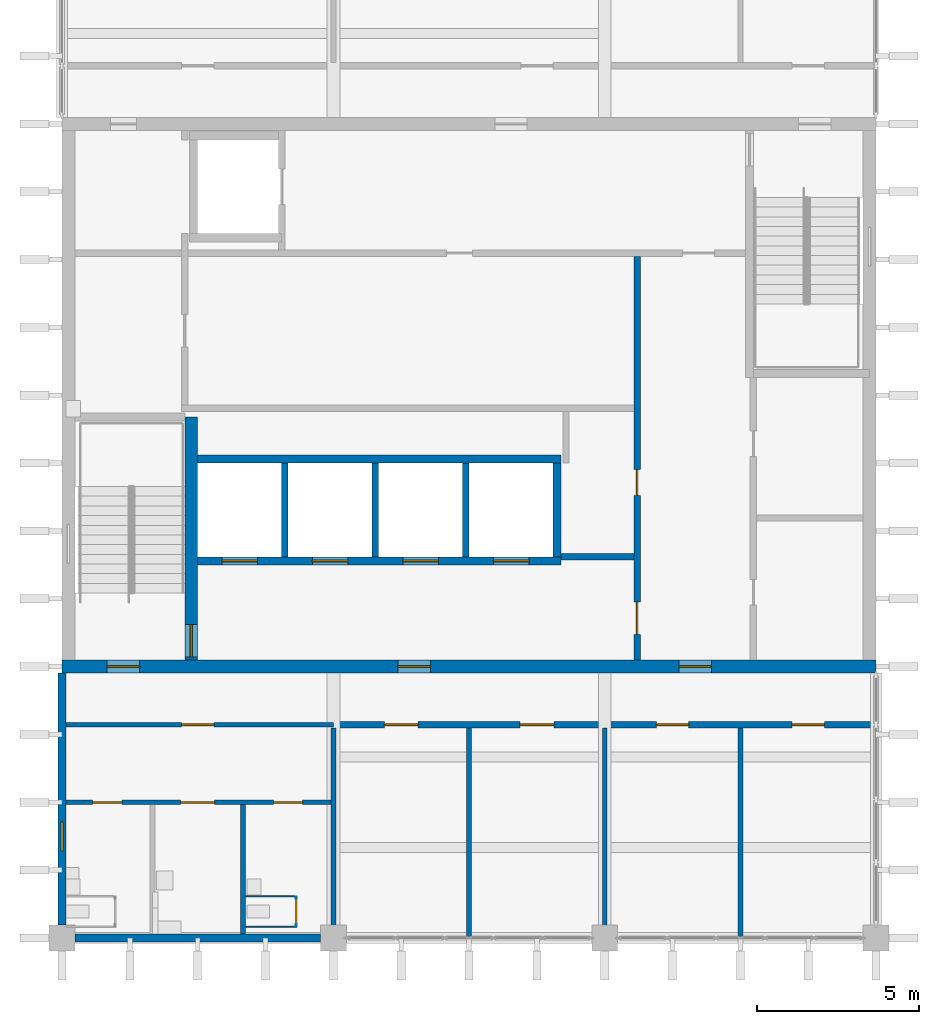
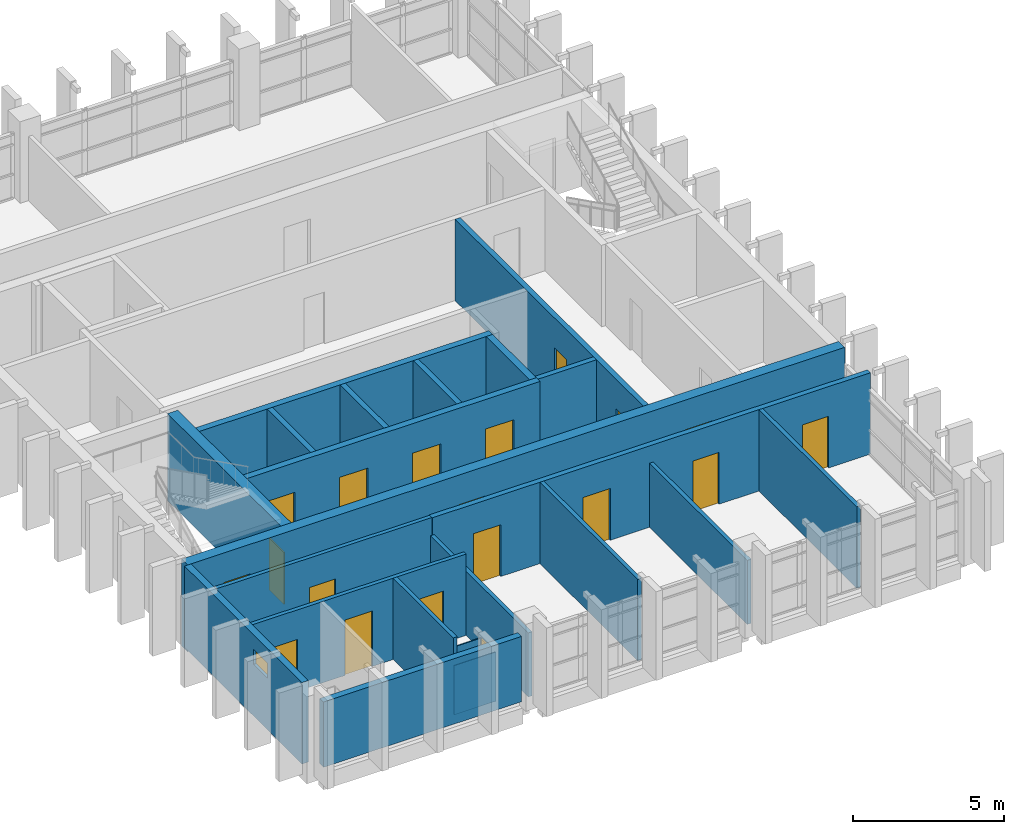
# One storey, part 7 of 11: 23 walls, 19 doors, 1 window, 20 openings.
"""IFC4 building model written with IfcOpenShell, lengths in metres."""

from ifc_helpers import new_model, si_unit, direction, frame, frame_2d, origin, place, context, subcontext, project, spatial, rectangle, extrude, material, layer, layer_set, type_object, element, fill, save


model = new_model("IFC4")

# Units and contexts
model_context = context("Model", 3, precision=1e-05, world=origin(), true_north=direction((0.0, 1.0)))
body_context = subcontext(model_context, "Body", "Model", "MODEL_VIEW")
ifc_project = project(units=[si_unit("LENGTHUNIT", "METRE"), si_unit("AREAUNIT", "SQUARE_METRE"), si_unit("VOLUMEUNIT", "CUBIC_METRE"), si_unit("PLANEANGLEUNIT", "RADIAN"), si_unit("MASSUNIT", "GRAM", prefix="KILO")], contexts=[model_context])

# Site, building, storey
site_placement = place(None, origin())
site = spatial("IfcSite", under=ifc_project, at=site_placement, CompositionType="ELEMENT")
building_placement = place(site_placement, origin())
building = spatial("IfcBuilding", under=site, at=building_placement, Name="Rulbaag Community and Learning Centre", CompositionType="ELEMENT")
storey_placement = place(building_placement, frame((0.0, 0.0, 46.800048828125)))
storey = spatial("IfcBuildingStorey", under=building, at=storey_placement, Name="L12", CompositionType="ELEMENT", Elevation=46.800048828125)

# Walls
ifc_material_1 = material(Name="High pressure laminate", Category="wood")
ifc_layer_1 = layer(ifc_material_1, 0.0400390625)
ifc_layer_set_1 = layer_set([ifc_layer_1], Name="CP-40")
wall_type_1 = type_object("IfcWallType", Name="CP-40", PredefinedType="PARTITIONING", material=ifc_layer_set_1)
for number, where, z_axis, x_axis, name in (
    (1, (148.47509765625, 84.35009765625, 0.0), (0.0, 0.0, 1.0), (1.0, 0.0, 0.0), "Cubicle partition"),
    (2, (148.47509765625, 85.2900390625, 0.0), (0.0, 0.0, 1.0), (1.0, 0.0, 0.0), "Cubicle partition"),
):
    element("IfcWall", number, at=place(storey_placement, frame(where, z_axis=z_axis, x_axis=x_axis)), inside=storey, type_object=wall_type_1, Name=name, PredefinedType="PARTITIONING", context=body_context, shape_type="SweptSolid", body=[
        extrude(rectangle(XDim=1.594970703125, YDim=0.0400390625, at=frame_2d((0.79736328125, 0.0))), origin(), (0.0, 0.0, 1.0), 2.0),
    ])

# Wall, opening, door
wall_1_placement = place(storey_placement, frame((150.050048828125, 84.3701171875, 0.0), z_axis=(0.0, 0.0, 1.0), x_axis=(0.0, 1.0, 0.0)))
wall_1 = element("IfcWall", 3, at=wall_1_placement, inside=storey, type_object=wall_type_1, Name="Cubicle partition", PredefinedType="PARTITIONING", context=body_context, shape_type="SweptSolid", body=[
    extrude(rectangle(XDim=0.89990234375, YDim=0.0400390625, at=frame_2d((0.449951171875, 0.0))), origin(), (0.0, 0.0, 1.0), 2.0),
])
opening_1_placement = place(wall_1_placement, frame((0.050048828125, 0.0, 0.0)))
opening_1 = element("IfcOpeningElement", 4, at=opening_1_placement, cuts=wall_1, Name="Opening L12-D013", PredefinedType="OPENING", context=body_context, shape_type="SweptSolid", body=[
    extrude(rectangle(XDim=0.800048828125, YDim=2.0, at=frame_2d((0.39990234375, 1.0))), frame((0.0, 0.030029296875, 0.0), z_axis=(0.0, -1.0, 0.0), x_axis=(1.0, 0.0, 0.0)), (0.0, 0.0, 1.0), 0.06005859375),
])
door_type_1 = type_object("IfcDoorType", Name="DC-80", OperationType="SINGLE_SWING_LEFT", PredefinedType="DOOR", material=ifc_material_1)
door_1_placement = place(opening_1_placement, origin())
door_1 = element("IfcDoor", 5, at=door_1_placement, inside=storey, type_object=door_type_1, Name="Cubicle door", OperationType="SINGLE_SWING_LEFT", OverallHeight=2.0, OverallWidth=0.800048828125, PredefinedType="DOOR", context=body_context, shape_type="SweptSolid", body=[
    extrude(rectangle(XDim=0.800048828125, YDim=2.0, at=frame_2d((0.39990234375, 1.0))), frame((0.0, 0.019775390625, 0.0), z_axis=(0.0, -1.0, 0.0), x_axis=(1.0, 0.0, 0.0)), (0.0, 0.0, 1.0), 0.03955078125),
])
fill(opening_1, door_1)

# Wall
ifc_material_2 = material(Name="Concrete M40", Category="concrete")
ifc_layer_2 = layer(ifc_material_2, 0.25)
ifc_layer_set_2 = layer_set([ifc_layer_2], Name="EW-CONC250")
wall_type_2 = type_object("IfcWallType", Name="EW-CONC250", PredefinedType="STANDARD", material=ifc_layer_set_2)
wall_2_placement = place(storey_placement, frame((143.199951171875, 84.0, 0.0), z_axis=(0.0, 0.0, 1.0), x_axis=(1.0, 0.0, 0.0)))
element("IfcWall", 6, at=wall_2_placement, inside=storey, type_object=wall_type_2, Name="Board-marked concrete cladding wall BS", PredefinedType="STANDARD", context=body_context, shape_type="SweptSolid", body=[
    extrude(rectangle(XDim=7.60009765625, YDim=0.25, at=frame_2d((3.800048828125, 0.0))), origin(), (0.0, 0.0, 1.0), 2.64990234375),
])

# Wall, opening, window
wall_3_placement = place(storey_placement, frame((142.800048828125, 84.39990234375, 0.0), z_axis=(0.0, 0.0, 1.0), x_axis=(0.0, 1.0, 0.0)))
wall_3 = element("IfcWall", 7, at=wall_3_placement, inside=storey, type_object=wall_type_2, Name="Board-marked concrete cladding wall BW", PredefinedType="STANDARD", context=body_context, shape_type="SweptSolid", body=[
    extrude(rectangle(XDim=7.800048828125, YDim=0.25, at=frame_2d((3.89990234375, 0.0))), origin(), (0.0, 0.0, 1.0), 3.300048828125),
])
opening_2_placement = place(wall_3_placement, frame((2.300048828125, 0.0, 2.10009765625)))
opening_2 = element("IfcOpeningElement", 8, at=opening_2_placement, cuts=wall_3, Name="Opening WN5", PredefinedType="OPENING", context=body_context, shape_type="SweptSolid", body=[
    extrude(rectangle(XDim=0.89990234375, YDim=0.60009765625, at=frame_2d((0.449951171875, 0.300048828125))), frame((0.0, 0.135009765625, 0.0), z_axis=(0.0, -1.0, 0.0), x_axis=(1.0, 0.0, 0.0)), (0.0, 0.0, 1.0), 0.27001953125),
])
ifc_material_3 = material(Name="Aluminium", Category="aluminium")
window_type = type_object("IfcWindowType", Name="WK-09", PartitioningType="SINGLE_PANEL", PredefinedType="WINDOW", material=ifc_material_3)
window_placement = place(opening_2_placement, origin())
window = element("IfcWindow", 9, at=window_placement, inside=storey, type_object=window_type, Name="Window WN5", OverallHeight=0.60009765625, OverallWidth=0.89990234375, PartitioningType="SINGLE_PANEL", PredefinedType="WINDOW", context=body_context, shape_type="SweptSolid", body=[
    extrude(rectangle(XDim=0.89990234375, YDim=0.60009765625, at=frame_2d((0.449951171875, 0.300048828125))), frame((0.0, 0.030029296875, 0.0), z_axis=(0.0, -1.0, 0.0), x_axis=(1.0, 0.0, 0.0)), (0.0, 0.0, 1.0), 0.06005859375),
])
fill(opening_2, window)

# Wall, openings, doors
ifc_material_4 = material(Name="Concrete blockwork", Category="masonry")
ifc_layer_3 = layer(ifc_material_4, 0.199951171875)
ifc_layer_set_3 = layer_set([ifc_layer_3], Name="FW-200 FIRE WALL 200")
wall_type_3 = type_object("IfcWallType", Name="FW-200 FIRE WALL 200", PredefinedType="SOLIDWALL", material=ifc_layer_set_3)
wall_4_placement = place(storey_placement, frame((151.199951171875, 90.60009765625, 0.0), z_axis=(0.0, 0.0, 1.0), x_axis=(1.0, 0.0, 0.0)))
wall_4 = element("IfcWall", 10, at=wall_4_placement, inside=storey, type_object=wall_type_3, Name="Fire wall L12 3", PredefinedType="SOLIDWALL", context=body_context, shape_type="SweptSolid", body=[
    extrude(rectangle(XDim=16.800048828125, YDim=0.199951171875, at=frame_2d((8.39990234375, 0.0))), origin(), (0.0, 0.0, 1.0), 3.300048828125),
])
opening_3_placement = place(wall_4_placement, frame((1.574951171875, 0.0, 0.0)))
opening_3 = element("IfcOpeningElement", 11, at=opening_3_placement, cuts=wall_4, Name="Opening L12-D015", PredefinedType="OPENING", context=body_context, shape_type="SweptSolid", body=[
    extrude(rectangle(XDim=1.050048828125, YDim=2.10009765625, at=frame_2d((0.52490234375, 1.050048828125))), frame((0.0, 0.10986328125, 0.0), z_axis=(0.0, -1.0, 0.0), x_axis=(1.0, 0.0, 0.0)), (0.0, 0.0, 1.0), 0.219970703125),
])
opening_4_placement = place(wall_4_placement, frame((5.77490234375, 0.0, 0.0)))
opening_4 = element("IfcOpeningElement", 12, at=opening_4_placement, cuts=wall_4, Name="Opening L12-D021", PredefinedType="OPENING", context=body_context, shape_type="SweptSolid", body=[
    extrude(rectangle(XDim=1.050048828125, YDim=2.10009765625, at=frame_2d((0.52490234375, 1.050048828125))), frame((0.0, 0.10986328125, 0.0), z_axis=(0.0, -1.0, 0.0), x_axis=(1.0, 0.0, 0.0)), (0.0, 0.0, 1.0), 0.219970703125),
])
opening_5_placement = place(wall_4_placement, frame((10.0, 0.0, 0.0)))
opening_5 = element("IfcOpeningElement", 13, at=opening_5_placement, cuts=wall_4, Name="Opening L12-D025", PredefinedType="OPENING", context=body_context, shape_type="SweptSolid", body=[
    extrude(rectangle(XDim=1.0, YDim=2.10009765625, at=frame_2d((0.5, 1.050048828125))), frame((0.0, 0.10986328125, 0.0), z_axis=(0.0, -1.0, 0.0), x_axis=(1.0, 0.0, 0.0)), (0.0, 0.0, 1.0), 0.219970703125),
])
opening_6_placement = place(wall_4_placement, frame((14.199951171875, 0.0, 0.0)))
opening_6 = element("IfcOpeningElement", 14, at=opening_6_placement, cuts=wall_4, Name="Opening L12-D031", PredefinedType="OPENING", context=body_context, shape_type="SweptSolid", body=[
    extrude(rectangle(XDim=1.0, YDim=2.10009765625, at=frame_2d((0.5, 1.050048828125))), frame((0.0, 0.10986328125, 0.0), z_axis=(0.0, -1.0, 0.0), x_axis=(1.0, 0.0, 0.0)), (0.0, 0.0, 1.0), 0.219970703125),
])
ifc_material_5 = material(Name="Galvanised steel", Category="steel")
door_type_2 = type_object("IfcDoorType", Name="FD-1000 FIRE DOOR 1000 x 2100", OperationType="SINGLE_SWING_LEFT", PredefinedType="DOOR", material=ifc_material_5)
door_2_placement = place(opening_5_placement, origin())
door_2 = element("IfcDoor", 15, at=door_2_placement, inside=storey, type_object=door_type_2, Name="Door L12-D025", OperationType="SINGLE_SWING_RIGHT", OverallHeight=2.10009765625, OverallWidth=1.0, PredefinedType="DOOR", context=body_context, shape_type="SweptSolid", body=[
    extrude(rectangle(XDim=1.0, YDim=2.10009765625, at=frame_2d((0.5, 1.050048828125))), frame((0.0, 0.02490234375, 0.0), z_axis=(0.0, -1.0, 0.0), x_axis=(1.0, 0.0, 0.0)), (0.0, 0.0, 1.0), 0.050048828125),
])
fill(opening_5, door_2)
door_3_placement = place(opening_6_placement, origin())
door_3 = element("IfcDoor", 16, at=door_3_placement, inside=storey, type_object=door_type_2, Name="Door L12-D031", OperationType="SINGLE_SWING_RIGHT", OverallHeight=2.10009765625, OverallWidth=1.0, PredefinedType="DOOR", context=body_context, shape_type="SweptSolid", body=[
    extrude(rectangle(XDim=1.0, YDim=2.10009765625, at=frame_2d((0.5, 1.050048828125))), frame((0.0, 0.02490234375, 0.0), z_axis=(0.0, -1.0, 0.0), x_axis=(1.0, 0.0, 0.0)), (0.0, 0.0, 1.0), 0.050048828125),
])
fill(opening_6, door_3)
ifc_material_6 = material(Name="Timber", Category="wood")
door_type_3 = type_object("IfcDoorType", Name="FD-1050 GLAZED MEETING ROOM FIRE DOOR 1050 x 2100", OperationType="SINGLE_SWING_LEFT", PredefinedType="DOOR", material=ifc_material_6)
door_4_placement = place(opening_3_placement, origin())
door_4 = element("IfcDoor", 17, at=door_4_placement, inside=storey, type_object=door_type_3, Name="Door L12-D015", OperationType="SINGLE_SWING_LEFT", OverallHeight=2.10009765625, OverallWidth=1.050048828125, PredefinedType="DOOR", context=body_context, shape_type="SweptSolid", body=[
    extrude(rectangle(XDim=1.050048828125, YDim=2.10009765625, at=frame_2d((0.52490234375, 1.050048828125))), frame((0.0, 0.02490234375, 0.0), z_axis=(0.0, -1.0, 0.0), x_axis=(1.0, 0.0, 0.0)), (0.0, 0.0, 1.0), 0.050048828125),
])
fill(opening_3, door_4)
door_5_placement = place(opening_4_placement, origin())
door_5 = element("IfcDoor", 18, at=door_5_placement, inside=storey, type_object=door_type_3, Name="Door L12-D021", OperationType="SINGLE_SWING_LEFT", OverallHeight=2.10009765625, OverallWidth=1.050048828125, PredefinedType="DOOR", context=body_context, shape_type="SweptSolid", body=[
    extrude(rectangle(XDim=1.050048828125, YDim=2.10009765625, at=frame_2d((0.52490234375, 1.050048828125))), frame((0.0, 0.02490234375, 0.0), z_axis=(0.0, -1.0, 0.0), x_axis=(1.0, 0.0, 0.0)), (0.0, 0.0, 1.0), 0.050048828125),
])
fill(opening_4, door_5)

# Wall
wall_5_placement = place(storey_placement, frame((158.25, 95.800048828125, 0.0), z_axis=(0.0, 0.0, 1.0), x_axis=(1.0, 0.0, 0.0)))
element("IfcWall", 19, at=wall_5_placement, inside=storey, type_object=wall_type_3, Name="Fire wall L12 5", PredefinedType="SOLIDWALL", context=body_context, shape_type="SweptSolid", body=[
    extrude(rectangle(XDim=2.25, YDim=0.199951171875, at=frame_2d((1.125, 0.0))), origin(), (0.0, 0.0, 1.0), 3.300048828125),
])

# Wall, openings, doors
wall_6_placement = place(storey_placement, frame((160.60009765625, 92.60009765625, 0.0), z_axis=(0.0, 0.0, 1.0), x_axis=(0.0, 1.0, 0.0)))
wall_6 = element("IfcWall", 20, at=wall_6_placement, inside=storey, type_object=wall_type_3, Name="Fire wall L12 21", PredefinedType="SOLIDWALL", context=body_context, shape_type="SweptSolid", body=[
    extrude(rectangle(XDim=12.5, YDim=0.199951171875, at=frame_2d((6.25, 0.0))), origin(), (0.0, 0.0, 1.0), 3.300048828125),
])
opening_7_placement = place(wall_6_placement, frame((5.10009765625, 0.0, 0.0)))
opening_7 = element("IfcOpeningElement", 21, at=opening_7_placement, cuts=wall_6, Name="Opening L12-D024", PredefinedType="OPENING", context=body_context, shape_type="SweptSolid", body=[
    extrude(rectangle(XDim=0.800048828125, YDim=2.10009765625, at=frame_2d((0.39990234375, 1.050048828125))), frame((0.0, 0.10986328125, 0.0), z_axis=(0.0, -1.0, 0.0), x_axis=(1.0, 0.0, 0.0)), (0.0, 0.0, 1.0), 0.219970703125),
])
opening_8_placement = place(wall_6_placement, frame((0.800048828125, 0.0, 0.0)))
opening_8 = element("IfcOpeningElement", 22, at=opening_8_placement, cuts=wall_6, Name="Opening L12-D023", PredefinedType="OPENING", context=body_context, shape_type="SweptSolid", body=[
    extrude(rectangle(XDim=1.0, YDim=2.10009765625, at=frame_2d((0.5, 1.050048828125))), frame((0.0, 0.10986328125, 0.0), z_axis=(0.0, -1.0, 0.0), x_axis=(1.0, 0.0, 0.0)), (0.0, 0.0, 1.0), 0.219970703125),
])
door_6_placement = place(opening_8_placement, origin())
door_6 = element("IfcDoor", 23, at=door_6_placement, inside=storey, type_object=door_type_2, Name="Door L12-D023", OperationType="SINGLE_SWING_LEFT", OverallHeight=2.10009765625, OverallWidth=1.0, PredefinedType="DOOR", context=body_context, shape_type="SweptSolid", body=[
    extrude(rectangle(XDim=1.0, YDim=2.10009765625, at=frame_2d((0.5, 1.050048828125))), frame((0.0, 0.02490234375, 0.0), z_axis=(0.0, -1.0, 0.0), x_axis=(1.0, 0.0, 0.0)), (0.0, 0.0, 1.0), 0.050048828125),
])
fill(opening_8, door_6)
door_type_4 = type_object("IfcDoorType", Name="FDR-800 RISER FIRE DOOR 800 x 2100", OperationType="SINGLE_SWING_LEFT", PredefinedType="DOOR", material=ifc_material_5)
door_7_placement = place(opening_7_placement, origin())
door_7 = element("IfcDoor", 24, at=door_7_placement, inside=storey, type_object=door_type_4, Name="Riser door L12-D022", OperationType="SINGLE_SWING_RIGHT", OverallHeight=2.10009765625, OverallWidth=0.800048828125, PredefinedType="DOOR", context=body_context, shape_type="SweptSolid", body=[
    extrude(rectangle(XDim=0.800048828125, YDim=2.10009765625, at=frame_2d((0.39990234375, 1.050048828125))), frame((0.0, 0.02490234375, 0.0), z_axis=(0.0, -1.0, 0.0), x_axis=(1.0, 0.0, 0.0)), (0.0, 0.0, 1.0), 0.050048828125),
])
fill(opening_7, door_7)

ifc_layer_4 = layer(ifc_material_4, 0.14990234375)
ifc_layer_set_4 = layer_set([ifc_layer_4], Name="IP-150 PARTITION 150")
wall_type_4 = type_object("IfcWallType", Name="IP-150 PARTITION 150", PredefinedType="PARTITIONING", material=ifc_layer_set_4)
wall_7_placement = place(storey_placement, frame((142.925048828125, 88.199951171875, 0.0), z_axis=(0.0, 0.0, 1.0), x_axis=(1.0, 0.0, 0.0)))
wall_7 = element("IfcWall", 25, at=wall_7_placement, inside=storey, type_object=wall_type_4, Name="Partition L12 1", PredefinedType="PARTITIONING", context=body_context, shape_type="SweptSolid", body=[
    extrude(rectangle(XDim=8.199951171875, YDim=0.14990234375, at=frame_2d((4.10009765625, 0.0))), origin(), (0.0, 0.0, 1.0), 3.300048828125),
])
opening_9_placement = place(wall_7_placement, frame((0.824951171875, 0.0, 0.0)))
opening_9 = element("IfcOpeningElement", 26, at=opening_9_placement, cuts=wall_7, Name="Opening L12-D001", PredefinedType="OPENING", context=body_context, shape_type="SweptSolid", body=[
    extrude(rectangle(XDim=0.89990234375, YDim=2.10009765625, at=frame_2d((0.449951171875, 1.050048828125))), frame((0.0, 0.0849609375, 0.0), z_axis=(0.0, -1.0, 0.0), x_axis=(1.0, 0.0, 0.0)), (0.0, 0.0, 1.0), 0.169921875),
])
opening_10_placement = place(wall_7_placement, frame((3.550048828125, 0.0, 0.0)))
opening_10 = element("IfcOpeningElement", 27, at=opening_10_placement, cuts=wall_7, Name="Opening L12-D007", PredefinedType="OPENING", context=body_context, shape_type="SweptSolid", body=[
    extrude(rectangle(XDim=1.050048828125, YDim=2.25, at=frame_2d((0.52490234375, 1.125))), frame((0.0, 0.0849609375, 0.0), z_axis=(0.0, -1.0, 0.0), x_axis=(1.0, 0.0, 0.0)), (0.0, 0.0, 1.0), 0.169921875),
])
opening_11_placement = place(wall_7_placement, frame((6.425048828125, 0.0, 0.0)))
opening_11 = element("IfcOpeningElement", 28, at=opening_11_placement, cuts=wall_7, Name="Opening L12-D012", PredefinedType="OPENING", context=body_context, shape_type="SweptSolid", body=[
    extrude(rectangle(XDim=0.89990234375, YDim=2.10009765625, at=frame_2d((0.449951171875, 1.050048828125))), frame((0.0, 0.0849609375, 0.0), z_axis=(0.0, -1.0, 0.0), x_axis=(1.0, 0.0, 0.0)), (0.0, 0.0, 1.0), 0.169921875),
])
door_type_5 = type_object("IfcDoorType", Name="D-1050 ACCESSIBLE TOILET DOOR 1050 x 2250", OperationType="SINGLE_SWING_LEFT", PredefinedType="DOOR", material=ifc_material_6)
door_8_placement = place(opening_10_placement, origin())
door_8 = element("IfcDoor", 29, at=door_8_placement, inside=storey, type_object=door_type_5, Name="Door L12-D007", OperationType="SINGLE_SWING_LEFT", OverallHeight=2.25, OverallWidth=1.050048828125, PredefinedType="DOOR", context=body_context, shape_type="SweptSolid", body=[
    extrude(rectangle(XDim=1.050048828125, YDim=2.25, at=frame_2d((0.52490234375, 1.125))), frame((0.0, 0.02490234375, 0.0), z_axis=(0.0, -1.0, 0.0), x_axis=(1.0, 0.0, 0.0)), (0.0, 0.0, 1.0), 0.050048828125),
])
fill(opening_10, door_8)
door_type_6 = type_object("IfcDoorType", Name="DW-900 TOILET DOOR 900 x 2100", OperationType="SINGLE_SWING_LEFT", PredefinedType="DOOR", material=ifc_material_6)
door_9_placement = place(opening_9_placement, origin())
door_9 = element("IfcDoor", 30, at=door_9_placement, inside=storey, type_object=door_type_6, Name="Door L12-D001", OperationType="SINGLE_SWING_LEFT", OverallHeight=2.10009765625, OverallWidth=0.89990234375, PredefinedType="DOOR", context=body_context, shape_type="SweptSolid", body=[
    extrude(rectangle(XDim=0.89990234375, YDim=2.10009765625, at=frame_2d((0.449951171875, 1.050048828125))), frame((0.0, 0.02490234375, 0.0), z_axis=(0.0, -1.0, 0.0), x_axis=(1.0, 0.0, 0.0)), (0.0, 0.0, 1.0), 0.050048828125),
])
fill(opening_9, door_9)
door_10_placement = place(opening_11_placement, origin())
door_10 = element("IfcDoor", 31, at=door_10_placement, inside=storey, type_object=door_type_6, Name="Door L12-D012", OperationType="SINGLE_SWING_RIGHT", OverallHeight=2.10009765625, OverallWidth=0.89990234375, PredefinedType="DOOR", context=body_context, shape_type="SweptSolid", body=[
    extrude(rectangle(XDim=0.89990234375, YDim=2.10009765625, at=frame_2d((0.449951171875, 1.050048828125))), frame((0.0, 0.02490234375, 0.0), z_axis=(0.0, -1.0, 0.0), x_axis=(1.0, 0.0, 0.0)), (0.0, 0.0, 1.0), 0.050048828125),
])
fill(opening_11, door_10)

# Wall, opening, door
wall_8_placement = place(storey_placement, frame((142.925048828125, 90.60009765625, 0.0), z_axis=(0.0, 0.0, 1.0), x_axis=(1.0, 0.0, 0.0)))
wall_8 = element("IfcWall", 32, at=wall_8_placement, inside=storey, type_object=wall_type_4, Name="Partition L12 2", PredefinedType="PARTITIONING", context=body_context, shape_type="SweptSolid", body=[
    extrude(rectangle(XDim=8.27490234375, YDim=0.14990234375, at=frame_2d((4.137451171875, 0.0))), origin(), (0.0, 0.0, 1.0), 3.300048828125),
])
opening_12_placement = place(wall_8_placement, frame((3.574951171875, 0.0, 0.0)))
opening_12 = element("IfcOpeningElement", 33, at=opening_12_placement, cuts=wall_8, Name="Opening L12-D008", PredefinedType="OPENING", context=body_context, shape_type="SweptSolid", body=[
    extrude(rectangle(XDim=1.0, YDim=2.10009765625, at=frame_2d((0.5, 1.050048828125))), frame((0.0, 0.0849609375, 0.0), z_axis=(0.0, -1.0, 0.0), x_axis=(1.0, 0.0, 0.0)), (0.0, 0.0, 1.0), 0.169921875),
])
door_type_7 = type_object("IfcDoorType", Name="D-1000 DOOR 1000 x 2100", OperationType="SINGLE_SWING_LEFT", PredefinedType="DOOR", material=ifc_material_6)
door_11_placement = place(opening_12_placement, origin())
door_11 = element("IfcDoor", 34, at=door_11_placement, inside=storey, type_object=door_type_7, Name="Door L12-D008", OperationType="SINGLE_SWING_RIGHT", OverallHeight=2.10009765625, OverallWidth=1.0, PredefinedType="DOOR", context=body_context, shape_type="SweptSolid", body=[
    extrude(rectangle(XDim=1.0, YDim=2.10009765625, at=frame_2d((0.5, 1.050048828125))), frame((0.0, 0.02490234375, 0.0), z_axis=(0.0, -1.0, 0.0), x_axis=(1.0, 0.0, 0.0)), (0.0, 0.0, 1.0), 0.050048828125),
])
fill(opening_12, door_11)

# Walls
wall_9_placement = place(storey_placement, frame((148.39990234375, 84.125, 0.0), z_axis=(0.0, 0.0, 1.0), x_axis=(0.0, 1.0, 0.0)))
element("IfcWall", 35, at=wall_9_placement, inside=storey, type_object=wall_type_4, Name="Partition L12 14", PredefinedType="PARTITIONING", context=body_context, shape_type="SweptSolid", body=[
    extrude(rectangle(XDim=4.0, YDim=0.14990234375, at=frame_2d((2.0, 0.0))), origin(), (0.0, 0.0, 1.0), 3.300048828125),
])
wall_10_placement = place(storey_placement, frame((151.199951171875, 84.0, 0.0), z_axis=(0.0, 0.0, 1.0), x_axis=(0.0, 1.0, 0.0)))
element("IfcWall", 36, at=wall_10_placement, inside=storey, type_object=wall_type_4, Name="Partition L12 16", PredefinedType="PARTITIONING", context=body_context, shape_type="SweptSolid", body=[
    extrude(rectangle(XDim=6.5, YDim=0.14990234375, at=frame_2d((3.25, 0.0))), origin(), (0.0, 0.0, 1.0), 2.599853515625),
])
wall_11_placement = place(storey_placement, frame((155.39990234375, 84.0, 0.0), z_axis=(0.0, 0.0, 1.0), x_axis=(0.0, 1.0, 0.0)))
element("IfcWall", 37, at=wall_11_placement, inside=storey, type_object=wall_type_4, Name="Partition L12 18", PredefinedType="PARTITIONING", context=body_context, shape_type="SweptSolid", body=[
    extrude(rectangle(XDim=6.5, YDim=0.14990234375, at=frame_2d((3.25, 0.0))), origin(), (0.0, 0.0, 1.0), 3.300048828125),
])
wall_12_placement = place(storey_placement, frame((159.60009765625, 84.0, 0.0), z_axis=(0.0, 0.0, 1.0), x_axis=(0.0, 1.0, 0.0)))
element("IfcWall", 38, at=wall_12_placement, inside=storey, type_object=wall_type_4, Name="Partition L12 20", PredefinedType="PARTITIONING", context=body_context, shape_type="SweptSolid", body=[
    extrude(rectangle(XDim=6.5, YDim=0.14990234375, at=frame_2d((3.25, 0.0))), origin(), (0.0, 0.0, 1.0), 2.599853515625),
])
wall_13_placement = place(storey_placement, frame((163.800048828125, 84.0, 0.0), z_axis=(0.0, 0.0, 1.0), x_axis=(0.0, 1.0, 0.0)))
element("IfcWall", 39, at=wall_13_placement, inside=storey, type_object=wall_type_4, Name="Partition L12 22", PredefinedType="PARTITIONING", context=body_context, shape_type="SweptSolid", body=[
    extrude(rectangle(XDim=6.5, YDim=0.14990234375, at=frame_2d((3.25, 0.0))), origin(), (0.0, 0.0, 1.0), 3.300048828125),
])

# Wall, openings, doors
ifc_material_7 = material(Name="Concrete M60", Category="concrete")
ifc_layer_5 = layer(ifc_material_7, 0.39990234375)
ifc_layer_set_5 = layer_set([ifc_layer_5], Name="W2 Core wall 400 Concrete M60")
wall_type_5 = type_object("IfcWallType", Name="W2 Core wall 400 Concrete M60", PredefinedType="SHEAR", material=ifc_layer_set_5)
wall_14_placement = place(storey_placement, frame((142.800048828125, 92.39990234375, -0.22509765625), z_axis=(0.0, 0.0, 1.0), x_axis=(1.0, 0.0, 0.0)))
wall_14 = element("IfcWall", 40, at=wall_14_placement, inside=storey, type_object=wall_type_5, Name="WL-CORE-S-L12", PredefinedType="SHEAR", context=body_context, shape_type="SweptSolid", body=[
    extrude(rectangle(XDim=25.199951171875, YDim=0.39990234375, at=frame_2d((12.60009765625, 0.0))), origin(), (0.0, 0.0, 1.0), 3.525146484375),
])
opening_13_placement = place(wall_14_placement, frame((1.39990234375, 0.0, 0.22509765625)))
opening_13 = element("IfcOpeningElement", 41, at=opening_13_placement, cuts=wall_14, Name="Opening L12-D003", PredefinedType="OPENING", context=body_context, shape_type="SweptSolid", body=[
    extrude(rectangle(XDim=1.0, YDim=2.10009765625, at=frame_2d((0.5, 1.050048828125))), frame((0.0, 0.2099609375, 0.0), z_axis=(0.0, -1.0, 0.0), x_axis=(1.0, 0.0, 0.0)), (0.0, 0.0, 1.0), 0.419921875),
])
opening_14_placement = place(wall_14_placement, frame((19.10009765625, 0.0, 0.22509765625)))
opening_14 = element("IfcOpeningElement", 42, at=opening_14_placement, cuts=wall_14, Name="Opening L12-D026", PredefinedType="OPENING", context=body_context, shape_type="SweptSolid", body=[
    extrude(rectangle(XDim=1.0, YDim=2.10009765625, at=frame_2d((0.5, 1.050048828125))), frame((0.0, 0.2099609375, 0.0), z_axis=(0.0, -1.0, 0.0), x_axis=(1.0, 0.0, 0.0)), (0.0, 0.0, 1.0), 0.419921875),
])
opening_15_placement = place(wall_14_placement, frame((10.39990234375, 0.0, 0.22509765625)))
opening_15 = element("IfcOpeningElement", 43, at=opening_15_placement, cuts=wall_14, Name="Opening L12-D016", PredefinedType="OPENING", context=body_context, shape_type="SweptSolid", body=[
    extrude(rectangle(XDim=1.0, YDim=2.10009765625, at=frame_2d((0.5, 1.050048828125))), frame((0.0, 0.2099609375, 0.0), z_axis=(0.0, -1.0, 0.0), x_axis=(1.0, 0.0, 0.0)), (0.0, 0.0, 1.0), 0.419921875),
])
door_12_placement = place(opening_14_placement, origin())
door_12 = element("IfcDoor", 44, at=door_12_placement, inside=storey, type_object=door_type_7, Name="Door L12-D026", OperationType="SINGLE_SWING_LEFT", OverallHeight=2.10009765625, OverallWidth=1.0, PredefinedType="DOOR", context=body_context, shape_type="SweptSolid", body=[
    extrude(rectangle(XDim=1.0, YDim=2.10009765625, at=frame_2d((0.5, 1.050048828125))), frame((0.0, 0.02490234375, 0.0), z_axis=(0.0, -1.0, 0.0), x_axis=(1.0, 0.0, 0.0)), (0.0, 0.0, 1.0), 0.050048828125),
])
fill(opening_14, door_12)
door_13_placement = place(opening_13_placement, origin())
door_13 = element("IfcDoor", 45, at=door_13_placement, inside=storey, type_object=door_type_2, Name="Door L12-D003", OperationType="SINGLE_SWING_RIGHT", OverallHeight=2.10009765625, OverallWidth=1.0, PredefinedType="DOOR", context=body_context, shape_type="SweptSolid", body=[
    extrude(rectangle(XDim=1.0, YDim=2.10009765625, at=frame_2d((0.5, 1.050048828125))), frame((0.0, 0.02490234375, 0.0), z_axis=(0.0, -1.0, 0.0), x_axis=(1.0, 0.0, 0.0)), (0.0, 0.0, 1.0), 0.050048828125),
])
fill(opening_13, door_13)
door_14_placement = place(opening_15_placement, origin())
door_14 = element("IfcDoor", 46, at=door_14_placement, inside=storey, type_object=door_type_2, Name="Door L12-D016", OperationType="SINGLE_SWING_RIGHT", OverallHeight=2.10009765625, OverallWidth=1.0, PredefinedType="DOOR", context=body_context, shape_type="SweptSolid", body=[
    extrude(rectangle(XDim=1.0, YDim=2.10009765625, at=frame_2d((0.5, 1.050048828125))), frame((0.0, 0.02490234375, 0.0), z_axis=(0.0, -1.0, 0.0), x_axis=(1.0, 0.0, 0.0)), (0.0, 0.0, 1.0), 0.050048828125),
])
fill(opening_15, door_14)

ifc_layer_6 = layer(ifc_material_2, 0.25)
ifc_layer_set_6 = layer_set([ifc_layer_6], Name="W5 Shaft wall 250 Concrete M40")
wall_type_6 = type_object("IfcWallType", Name="W5 Shaft wall 250 Concrete M40", PredefinedType="SHEAR", material=ifc_layer_set_6)
wall_15_placement = place(storey_placement, frame((147.0, 95.675048828125, -0.22509765625), z_axis=(0.0, 0.0, 1.0), x_axis=(1.0, 0.0, 0.0)))
wall_15 = element("IfcWall", 47, at=wall_15_placement, inside=storey, type_object=wall_type_6, Name="WL-LP-S-L12", PredefinedType="SHEAR", context=body_context, shape_type="SweptSolid", body=[
    extrude(rectangle(XDim=11.25, YDim=0.25, at=frame_2d((5.625, 0.0))), origin(), (0.0, 0.0, 1.0), 3.525146484375),
])
opening_16_placement = place(wall_15_placement, frame((0.75, 0.0, 0.22509765625)))
opening_16 = element("IfcOpeningElement", 48, at=opening_16_placement, cuts=wall_15, Name="Opening L12-D010", PredefinedType="OPENING", context=body_context, shape_type="SweptSolid", body=[
    extrude(rectangle(XDim=1.10009765625, YDim=2.10009765625, at=frame_2d((0.550048828125, 1.050048828125))), frame((0.0, 0.135009765625, 0.0), z_axis=(0.0, -1.0, 0.0), x_axis=(1.0, 0.0, 0.0)), (0.0, 0.0, 1.0), 0.27001953125),
])
opening_17_placement = place(wall_15_placement, frame((3.550048828125, 0.0, 0.22509765625)))
opening_17 = element("IfcOpeningElement", 49, at=opening_17_placement, cuts=wall_15, Name="Opening L12-D014", PredefinedType="OPENING", context=body_context, shape_type="SweptSolid", body=[
    extrude(rectangle(XDim=1.10009765625, YDim=2.10009765625, at=frame_2d((0.550048828125, 1.050048828125))), frame((0.0, 0.135009765625, 0.0), z_axis=(0.0, -1.0, 0.0), x_axis=(1.0, 0.0, 0.0)), (0.0, 0.0, 1.0), 0.27001953125),
])
opening_18_placement = place(wall_15_placement, frame((6.35009765625, 0.0, 0.22509765625)))
opening_18 = element("IfcOpeningElement", 50, at=opening_18_placement, cuts=wall_15, Name="Opening L12-D017", PredefinedType="OPENING", context=body_context, shape_type="SweptSolid", body=[
    extrude(rectangle(XDim=1.10009765625, YDim=2.10009765625, at=frame_2d((0.550048828125, 1.050048828125))), frame((0.0, 0.135009765625, 0.0), z_axis=(0.0, -1.0, 0.0), x_axis=(1.0, 0.0, 0.0)), (0.0, 0.0, 1.0), 0.27001953125),
])
opening_19_placement = place(wall_15_placement, frame((9.14990234375, 0.0, 0.22509765625)))
opening_19 = element("IfcOpeningElement", 51, at=opening_19_placement, cuts=wall_15, Name="Opening L12-D019", PredefinedType="OPENING", context=body_context, shape_type="SweptSolid", body=[
    extrude(rectangle(XDim=1.10009765625, YDim=2.10009765625, at=frame_2d((0.550048828125, 1.050048828125))), frame((0.0, 0.135009765625, 0.0), z_axis=(0.0, -1.0, 0.0), x_axis=(1.0, 0.0, 0.0)), (0.0, 0.0, 1.0), 0.27001953125),
])
ifc_material_8 = material(Name="Stainless steel grade 304", Category="steel")
door_type_8 = type_object("IfcDoorType", Name="LD-1100 LIFT LANDING DOOR 1100 x 2100", OperationType="SLIDING_TO_LEFT", PredefinedType="DOOR", material=ifc_material_8)
door_15_placement = place(opening_16_placement, origin())
door_15 = element("IfcDoor", 52, at=door_15_placement, inside=storey, type_object=door_type_8, Name="Lift landing door LP1 L12", OperationType="SLIDING_TO_LEFT", OverallHeight=2.10009765625, OverallWidth=1.10009765625, PredefinedType="DOOR", context=body_context, shape_type="SweptSolid", body=[
    extrude(rectangle(XDim=1.10009765625, YDim=2.10009765625, at=frame_2d((0.550048828125, 1.050048828125))), frame((0.0, 0.02490234375, 0.0), z_axis=(0.0, -1.0, 0.0), x_axis=(1.0, 0.0, 0.0)), (0.0, 0.0, 1.0), 0.050048828125),
])
fill(opening_16, door_15)
door_16_placement = place(opening_17_placement, origin())
door_16 = element("IfcDoor", 53, at=door_16_placement, inside=storey, type_object=door_type_8, Name="Lift landing door LP2 L12", OperationType="SLIDING_TO_LEFT", OverallHeight=2.10009765625, OverallWidth=1.10009765625, PredefinedType="DOOR", context=body_context, shape_type="SweptSolid", body=[
    extrude(rectangle(XDim=1.10009765625, YDim=2.10009765625, at=frame_2d((0.550048828125, 1.050048828125))), frame((0.0, 0.02490234375, 0.0), z_axis=(0.0, -1.0, 0.0), x_axis=(1.0, 0.0, 0.0)), (0.0, 0.0, 1.0), 0.050048828125),
])
fill(opening_17, door_16)
door_17_placement = place(opening_18_placement, origin())
door_17 = element("IfcDoor", 54, at=door_17_placement, inside=storey, type_object=door_type_8, Name="Lift landing door LP3 L12", OperationType="SLIDING_TO_LEFT", OverallHeight=2.10009765625, OverallWidth=1.10009765625, PredefinedType="DOOR", context=body_context, shape_type="SweptSolid", body=[
    extrude(rectangle(XDim=1.10009765625, YDim=2.10009765625, at=frame_2d((0.550048828125, 1.050048828125))), frame((0.0, 0.02490234375, 0.0), z_axis=(0.0, -1.0, 0.0), x_axis=(1.0, 0.0, 0.0)), (0.0, 0.0, 1.0), 0.050048828125),
])
fill(opening_18, door_17)
door_18_placement = place(opening_19_placement, origin())
door_18 = element("IfcDoor", 55, at=door_18_placement, inside=storey, type_object=door_type_8, Name="Lift landing door LP4 L12", OperationType="SLIDING_TO_LEFT", OverallHeight=2.10009765625, OverallWidth=1.10009765625, PredefinedType="DOOR", context=body_context, shape_type="SweptSolid", body=[
    extrude(rectangle(XDim=1.10009765625, YDim=2.10009765625, at=frame_2d((0.550048828125, 1.050048828125))), frame((0.0, 0.02490234375, 0.0), z_axis=(0.0, -1.0, 0.0), x_axis=(1.0, 0.0, 0.0)), (0.0, 0.0, 1.0), 0.050048828125),
])
fill(opening_19, door_18)

# Walls
wall_16_placement = place(storey_placement, frame((147.0, 98.824951171875, -0.22509765625), z_axis=(0.0, 0.0, 1.0), x_axis=(1.0, 0.0, 0.0)))
element("IfcWall", 56, at=wall_16_placement, inside=storey, type_object=wall_type_6, Name="WL-LP-N-L12", PredefinedType="SHEAR", context=body_context, shape_type="SweptSolid", body=[
    extrude(rectangle(XDim=11.25, YDim=0.25, at=frame_2d((5.625, 0.0))), origin(), (0.0, 0.0, 1.0), 3.525146484375),
])
wall_17_placement = place(storey_placement, frame((158.125, 95.800048828125, -0.22509765625), z_axis=(0.0, 0.0, 1.0), x_axis=(0.0, 1.0, 0.0)))
element("IfcWall", 57, at=wall_17_placement, inside=storey, type_object=wall_type_6, Name="WL-LP-E-L12", PredefinedType="SHEAR", context=body_context, shape_type="SweptSolid", body=[
    extrude(rectangle(XDim=2.89990234375, YDim=0.25, at=frame_2d((1.449951171875, 0.0))), origin(), (0.0, 0.0, 1.0), 3.525146484375),
])
ifc_layer_7 = layer(ifc_material_2, 0.199951171875)
ifc_layer_set_7 = layer_set([ifc_layer_7], Name="W6 Shaft divider 200 Concrete M40")
wall_type_7 = type_object("IfcWallType", Name="W6 Shaft divider 200 Concrete M40", PredefinedType="SHEAR", material=ifc_layer_set_7)
for number, where, z_axis, x_axis, name in (
    (58, (149.699951171875, 95.800048828125, -0.22509765625), (0.0, 0.0, 1.0), (0.0, 1.0, 0.0), "WL-LP-D1-L12"),
    (59, (152.5, 95.800048828125, -0.22509765625), (0.0, 0.0, 1.0), (0.0, 1.0, 0.0), "WL-LP-D2-L12"),
    (60, (155.300048828125, 95.800048828125, -0.22509765625), (0.0, 0.0, 1.0), (0.0, 1.0, 0.0), "WL-LP-D3-L12"),
):
    element("IfcWall", number, at=place(storey_placement, frame(where, z_axis=z_axis, x_axis=x_axis)), inside=storey, type_object=wall_type_7, Name=name, PredefinedType="SHEAR", context=body_context, shape_type="SweptSolid", body=[
        extrude(rectangle(XDim=2.89990234375, YDim=0.199951171875, at=frame_2d((1.449951171875, 0.0))), origin(), (0.0, 0.0, 1.0), 3.525146484375),
    ])

# Wall, opening, door
ifc_layer_8 = layer(ifc_material_2, 0.39990234375)
ifc_layer_set_8 = layer_set([ifc_layer_8], Name="W7 Stair wall 400 Concrete M40")
wall_type_8 = type_object("IfcWallType", Name="W7 Stair wall 400 Concrete M40", PredefinedType="SHEAR", material=ifc_layer_set_8)
wall_18_placement = place(storey_placement, frame((146.800048828125, 92.60009765625, -0.22509765625), z_axis=(0.0, 0.0, 1.0), x_axis=(0.0, 1.0, 0.0)))
wall_18 = element("IfcWall", 61, at=wall_18_placement, inside=storey, type_object=wall_type_8, Name="WL-ST1-E-L12", PredefinedType="SHEAR", context=body_context, shape_type="SweptSolid", body=[
    extrude(rectangle(XDim=7.52490234375, YDim=0.39990234375, at=frame_2d((3.762451171875, 0.0))), origin(), (0.0, 0.0, 1.0), 3.525146484375),
])
opening_20_placement = place(wall_18_placement, frame((0.10009765625, 0.0, 0.22509765625)))
opening_20 = element("IfcOpeningElement", 62, at=opening_20_placement, cuts=wall_18, Name="Opening L12-D006", PredefinedType="OPENING", context=body_context, shape_type="SweptSolid", body=[
    extrude(rectangle(XDim=1.0, YDim=2.10009765625, at=frame_2d((0.5, 1.050048828125))), frame((0.0, 0.2099609375, 0.0), z_axis=(0.0, -1.0, 0.0), x_axis=(1.0, 0.0, 0.0)), (0.0, 0.0, 1.0), 0.419921875),
])
door_19_placement = place(opening_20_placement, origin())
door_19 = element("IfcDoor", 63, at=door_19_placement, inside=storey, type_object=door_type_2, Name="Door L12-D006", OperationType="SINGLE_SWING_RIGHT", OverallHeight=2.10009765625, OverallWidth=1.0, PredefinedType="DOOR", context=body_context, shape_type="SweptSolid", body=[
    extrude(rectangle(XDim=1.0, YDim=2.10009765625, at=frame_2d((0.5, 1.050048828125))), frame((0.0, 0.02490234375, 0.0), z_axis=(0.0, -1.0, 0.0), x_axis=(1.0, 0.0, 0.0)), (0.0, 0.0, 1.0), 0.050048828125),
])
fill(opening_20, door_19)

save(model, "model.ifc")
